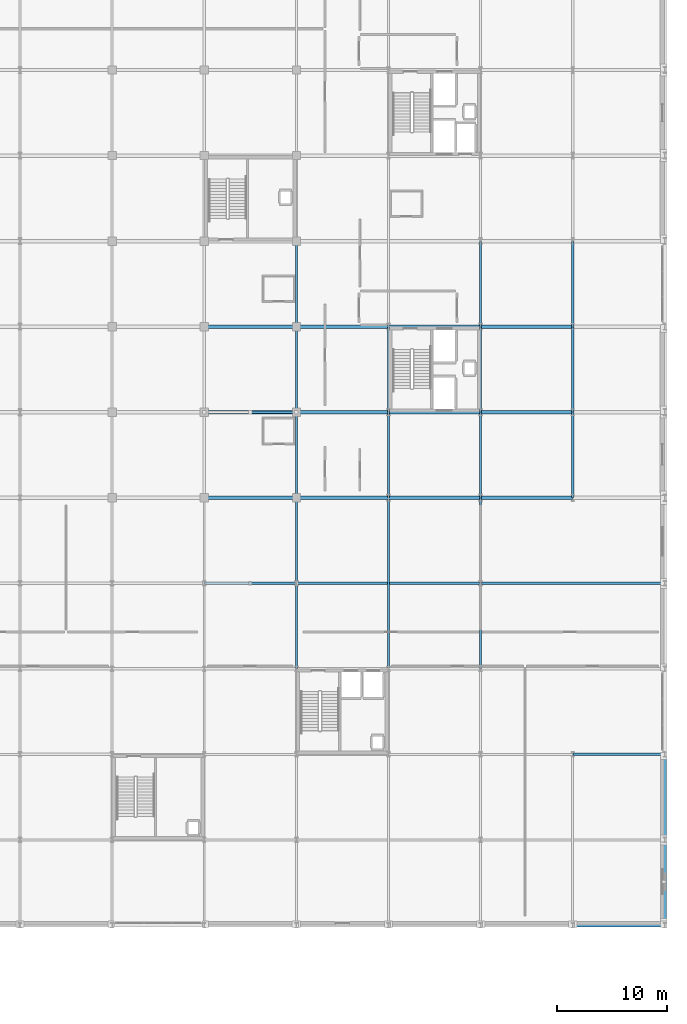
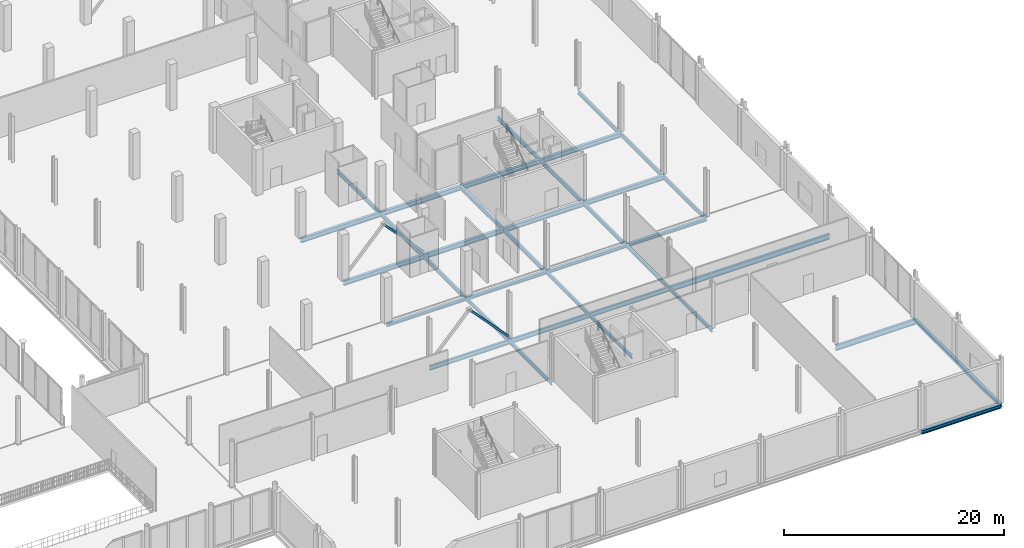
# One storey, part 58 of 105: 35 beams, 2 members.
"""IFC4 building model written with IfcOpenShell, lengths in metres."""

from ifc_helpers import new_model, si_unit, direction, frame, origin, origin_2d, place, context, subcontext, project, spatial, hollow_rectangle, i_section, extrude, material, material_profile, profile_set, type_object, element, save


model = new_model("IFC4")

# Units and contexts
model_context = context("Model", 3, precision=1e-05, world=origin(), true_north=direction((0.0, 1.0)))
body_context = subcontext(model_context, "Body", "Model", "MODEL_VIEW")
ifc_project = project(units=[si_unit("LENGTHUNIT", "METRE"), si_unit("AREAUNIT", "SQUARE_METRE"), si_unit("VOLUMEUNIT", "CUBIC_METRE"), si_unit("PLANEANGLEUNIT", "RADIAN"), si_unit("MASSUNIT", "GRAM", prefix="KILO")], contexts=[model_context])

# Site, building, storey
site_placement = place(None, origin())
site = spatial("IfcSite", under=ifc_project, at=site_placement, CompositionType="ELEMENT")
building_placement = place(site_placement, origin())
building = spatial("IfcBuilding", under=site, at=building_placement, Name="Nabrawat Pavilion Hospital", CompositionType="ELEMENT")
storey_placement = place(building_placement, frame((0.0, 0.0, 5.10009765625)))
storey = spatial("IfcBuildingStorey", under=building, at=storey_placement, Name="L01", CompositionType="ELEMENT", Elevation=5.10009765625)

# Members
ifc_material = material(Name="Steel S355", Category="steel")
ifc_material_profile_1 = material_profile(ifc_material, hollow_rectangle(XDim=0.199951171875, YDim=0.199951171875, WallThickness=0.012451171875, at=origin_2d()), Name="SHS 200x200x12.5")
ifc_profile_set_1 = profile_set([ifc_material_profile_1], Name="Steel S355")
member_type = type_object("IfcMemberType", Name="Mid Seismic Chevron Brace SHS 200x200x12.5", PredefinedType="BRACE", material=ifc_profile_set_1)
for number, where, z_axis, x_axis, name in (
    (1, (159.60009765625, 31.199951171875, 0.0498046875), (-0.682335207557, 0.0, 0.731039441158), (0.0, -1.0, 0.0), "L01 Seismic Concentric Chevron Brace 040"),
    (2, (159.60009765625, 46.800048828125, 0.0498046875), (-0.682335207557, 0.0, 0.731039441158), (0.0, -1.0, 0.0), "L01 Seismic Concentric Chevron Brace 052"),
):
    element("IfcMember", number, at=place(storey_placement, frame(where, z_axis=z_axis, x_axis=x_axis)), inside=storey, type_object=member_type, Name=name, PredefinedType="BRACE", context=body_context, shape_type="SweptSolid", body=[
        extrude(hollow_rectangle(XDim=0.199951171875, YDim=0.199951171875, WallThickness=0.012451171875, at=origin_2d()), origin(), (0.0, 0.0, 1.0), 6.155517578125),
    ])

# Beams
ifc_material_profile_2 = material_profile(ifc_material, i_section(OverallWidth=0.300048828125, OverallDepth=0.389892578125, WebThickness=0.010986328125, FlangeThickness=0.01904296875, FilletRadius=0.027099609375, at=origin_2d()), Name="HEA 400")
ifc_profile_set_2 = profile_set([ifc_material_profile_2], Name="Steel S355")
beam_type_1 = type_object("IfcBeamType", Name="Perimeter Moment Spandrel Beam HEA 400", PredefinedType="SPANDREL", material=ifc_profile_set_2)
beam_1_placement = place(storey_placement, frame((184.820068359375, 0.0, -0.425048828125), z_axis=(1.0, 0.0, 0.0), x_axis=(0.0, 1.0, 0.0)))
element("IfcBeam", 3, at=beam_1_placement, inside=storey, type_object=beam_type_1, Name="L01 Primary X Girder 463", PredefinedType="SPANDREL", context=body_context, shape_type="SweptSolid", body=[
    extrude(i_section(OverallWidth=0.300048828125, OverallDepth=0.389892578125, WebThickness=0.010986328125, FlangeThickness=0.01904296875, FilletRadius=0.027099609375, at=origin_2d()), origin(), (0.0, 0.0, 1.0), 8.35986328125),
])
for number, where, z_axis, x_axis, name in (
    (4, (193.199951171875, 0.02001953125, -0.425048828125), (0.0, 1.0, 0.0), (-1.0, 0.0, 0.0), "L01 Primary Y Beam 911"),
    (5, (193.199951171875, 7.820068359375, -0.425048828125), (0.0, 1.0, 0.0), (-1.0, 0.0, 0.0), "L01 Primary Y Beam 912"),
):
    element("IfcBeam", number, at=place(storey_placement, frame(where, z_axis=z_axis, x_axis=x_axis)), inside=storey, type_object=beam_type_1, Name=name, PredefinedType="SPANDREL", context=body_context, shape_type="SweptSolid", body=[
        extrude(i_section(OverallWidth=0.300048828125, OverallDepth=0.389892578125, WebThickness=0.010986328125, FlangeThickness=0.01904296875, FilletRadius=0.027099609375, at=origin_2d()), origin(), (0.0, 0.0, 1.0), 7.760009765625),
    ])
ifc_material_profile_3 = material_profile(ifc_material, i_section(OverallWidth=0.300048828125, OverallDepth=0.5, WebThickness=0.014404296875, FlangeThickness=0.028076171875, FilletRadius=0.027099609375, at=origin_2d()), Name="HEB 500")
ifc_profile_set_3 = profile_set([ifc_material_profile_3], Name="Steel S355")
beam_type_2 = type_object("IfcBeamType", Name="Primary Floor Girder HEB 500", PredefinedType="USERDEFINED", material=ifc_profile_set_3)
beam_2_placement = place(storey_placement, frame((151.219970703125, 46.800048828125, -0.5), z_axis=(1.0, 0.0, 0.0), x_axis=(0.0, 1.0, 0.0)))
element("IfcBeam", 6, at=beam_2_placement, inside=storey, type_object=beam_type_2, Name="L01 Primary X Girder 543", ObjectType="GIRDER", PredefinedType="USERDEFINED", context=body_context, shape_type="SweptSolid", body=[
    extrude(i_section(OverallWidth=0.300048828125, OverallDepth=0.5, WebThickness=0.014404296875, FlangeThickness=0.028076171875, FilletRadius=0.027099609375, at=origin_2d()), origin(), (0.0, 0.0, 1.0), 8.360107421875),
])
for number, where, z_axis, x_axis, name in (
    (7, (159.6201171875, 46.800048828125, -0.5), (1.0, 0.0, 0.0), (0.0, 1.0, 0.0), "L01 Primary X Girder 544"),
    (8, (168.02001953125, 46.800048828125, -0.5), (1.0, 0.0, 0.0), (0.0, 1.0, 0.0), "L01 Primary X Girder 545"),
):
    element("IfcBeam", number, at=place(storey_placement, frame(where, z_axis=z_axis, x_axis=x_axis)), inside=storey, type_object=beam_type_2, Name=name, ObjectType="GIRDER", PredefinedType="USERDEFINED", context=body_context, shape_type="SweptSolid", body=[
        extrude(i_section(OverallWidth=0.300048828125, OverallDepth=0.5, WebThickness=0.014404296875, FlangeThickness=0.028076171875, FilletRadius=0.027099609375, at=origin_2d()), origin(), (0.0, 0.0, 1.0), 8.35986328125),
    ])
for number, where, z_axis, x_axis, name in (
    (9, (176.419921875, 46.800048828125, -0.5), (1.0, 0.0, 0.0), (0.0, 1.0, 0.0), "L01 Primary X Girder 546"),
    (10, (151.219970703125, 54.60009765625, -0.5), (1.0, 0.0, 0.0), (0.0, 1.0, 0.0), "L01 Primary X Girder 557"),
):
    element("IfcBeam", number, at=place(storey_placement, frame(where, z_axis=z_axis, x_axis=x_axis)), inside=storey, type_object=beam_type_2, Name=name, ObjectType="GIRDER", PredefinedType="USERDEFINED", context=body_context, shape_type="SweptSolid", body=[
        extrude(i_section(OverallWidth=0.300048828125, OverallDepth=0.5, WebThickness=0.014404296875, FlangeThickness=0.028076171875, FilletRadius=0.027099609375, at=origin_2d()), origin(), (0.0, 0.0, 1.0), 8.360107421875),
    ])
for number, where, z_axis, x_axis, name in (
    (11, (159.6201171875, 54.60009765625, -0.5), (1.0, 0.0, 0.0), (0.0, 1.0, 0.0), "L01 Primary X Girder 558"),
    (12, (168.02001953125, 54.60009765625, -0.5), (1.0, 0.0, 0.0), (0.0, 1.0, 0.0), "L01 Primary X Girder 559"),
):
    element("IfcBeam", number, at=place(storey_placement, frame(where, z_axis=z_axis, x_axis=x_axis)), inside=storey, type_object=beam_type_2, Name=name, ObjectType="GIRDER", PredefinedType="USERDEFINED", context=body_context, shape_type="SweptSolid", body=[
        extrude(i_section(OverallWidth=0.300048828125, OverallDepth=0.5, WebThickness=0.014404296875, FlangeThickness=0.028076171875, FilletRadius=0.027099609375, at=origin_2d()), origin(), (0.0, 0.0, 1.0), 8.35986328125),
    ])
beam_3_placement = place(storey_placement, frame((176.419921875, 54.60009765625, -0.5), z_axis=(1.0, 0.0, 0.0), x_axis=(0.0, 1.0, 0.0)))
element("IfcBeam", 13, at=beam_3_placement, inside=storey, type_object=beam_type_2, Name="L01 Primary X Girder 560", ObjectType="GIRDER", PredefinedType="USERDEFINED", context=body_context, shape_type="SweptSolid", body=[
    extrude(i_section(OverallWidth=0.300048828125, OverallDepth=0.5, WebThickness=0.014404296875, FlangeThickness=0.028076171875, FilletRadius=0.027099609375, at=origin_2d()), origin(), (0.0, 0.0, 1.0), 8.360107421875),
])
ifc_material_profile_4 = material_profile(ifc_material, i_section(OverallWidth=0.18994140625, OverallDepth=0.449951171875, WebThickness=0.009521484375, FlangeThickness=0.0146484375, FilletRadius=0.02099609375, at=origin_2d()), Name="IPE 450")
ifc_profile_set_4 = profile_set([ifc_material_profile_4], Name="Steel S355")
beam_type_3 = type_object("IfcBeamType", Name="Primary Y Floor Beam IPE 450", PredefinedType="BEAM", material=ifc_profile_set_4)
for number, where, z_axis, x_axis, name in (
    (14, (159.60009765625, 39.02001953125, -0.47509765625), (0.0, 1.0, 0.0), (-1.0, 0.0, 0.0), "L01 Primary Y Beam 867"),
    (15, (159.60009765625, 46.820068359375, -0.47509765625), (0.0, 1.0, 0.0), (-1.0, 0.0, 0.0), "L01 Primary Y Beam 868"),
):
    element("IfcBeam", number, at=place(storey_placement, frame(where, z_axis=z_axis, x_axis=x_axis)), inside=storey, type_object=beam_type_3, Name=name, PredefinedType="BEAM", context=body_context, shape_type="SweptSolid", body=[
        extrude(i_section(OverallWidth=0.18994140625, OverallDepth=0.449951171875, WebThickness=0.009521484375, FlangeThickness=0.0146484375, FilletRadius=0.02099609375, at=origin_2d()), origin(), (0.0, 0.0, 1.0), 7.760009765625),
    ])
beam_4_placement = place(storey_placement, frame((159.60009765625, 54.6201171875, -0.47509765625), z_axis=(0.0, 1.0, 0.0), x_axis=(-1.0, 0.0, 0.0)))
element("IfcBeam", 16, at=beam_4_placement, inside=storey, type_object=beam_type_3, Name="L01 Primary Y Beam 869", PredefinedType="BEAM", context=body_context, shape_type="SweptSolid", body=[
    extrude(i_section(OverallWidth=0.18994140625, OverallDepth=0.449951171875, WebThickness=0.009521484375, FlangeThickness=0.0146484375, FilletRadius=0.02099609375, at=origin_2d()), origin(), (0.0, 0.0, 1.0), 7.759765625),
])
for number, where, z_axis, x_axis, name in (
    (17, (168.0, 39.02001953125, -0.47509765625), (0.0, 1.0, 0.0), (-1.0, 0.0, 0.0), "L01 Primary Y Beam 881"),
    (18, (168.0, 46.820068359375, -0.47509765625), (0.0, 1.0, 0.0), (-1.0, 0.0, 0.0), "L01 Primary Y Beam 882"),
    (19, (176.39990234375, 39.02001953125, -0.47509765625), (0.0, 1.0, 0.0), (-1.0, 0.0, 0.0), "L01 Primary Y Beam 892"),
    (20, (176.39990234375, 46.820068359375, -0.47509765625), (0.0, 1.0, 0.0), (-1.0, 0.0, 0.0), "L01 Primary Y Beam 893"),
):
    element("IfcBeam", number, at=place(storey_placement, frame(where, z_axis=z_axis, x_axis=x_axis)), inside=storey, type_object=beam_type_3, Name=name, PredefinedType="BEAM", context=body_context, shape_type="SweptSolid", body=[
        extrude(i_section(OverallWidth=0.18994140625, OverallDepth=0.449951171875, WebThickness=0.009521484375, FlangeThickness=0.0146484375, FilletRadius=0.02099609375, at=origin_2d()), origin(), (0.0, 0.0, 1.0), 7.760009765625),
    ])
beam_5_placement = place(storey_placement, frame((176.39990234375, 54.6201171875, -0.47509765625), z_axis=(0.0, 1.0, 0.0), x_axis=(-1.0, 0.0, 0.0)))
element("IfcBeam", 21, at=beam_5_placement, inside=storey, type_object=beam_type_3, Name="L01 Primary Y Beam 894", PredefinedType="BEAM", context=body_context, shape_type="SweptSolid", body=[
    extrude(i_section(OverallWidth=0.18994140625, OverallDepth=0.449951171875, WebThickness=0.009521484375, FlangeThickness=0.0146484375, FilletRadius=0.02099609375, at=origin_2d()), origin(), (0.0, 0.0, 1.0), 7.759765625),
])
for number, where, z_axis, x_axis, name in (
    (22, (184.800048828125, 39.02001953125, -0.47509765625), (0.0, 1.0, 0.0), (-1.0, 0.0, 0.0), "L01 Primary Y Beam 904"),
    (23, (184.800048828125, 46.820068359375, -0.47509765625), (0.0, 1.0, 0.0), (-1.0, 0.0, 0.0), "L01 Primary Y Beam 905"),
):
    element("IfcBeam", number, at=place(storey_placement, frame(where, z_axis=z_axis, x_axis=x_axis)), inside=storey, type_object=beam_type_3, Name=name, PredefinedType="BEAM", context=body_context, shape_type="SweptSolid", body=[
        extrude(i_section(OverallWidth=0.18994140625, OverallDepth=0.449951171875, WebThickness=0.009521484375, FlangeThickness=0.0146484375, FilletRadius=0.02099609375, at=origin_2d()), origin(), (0.0, 0.0, 1.0), 7.760009765625),
    ])
beam_6_placement = place(storey_placement, frame((184.800048828125, 54.6201171875, -0.47509765625), z_axis=(0.0, 1.0, 0.0), x_axis=(-1.0, 0.0, 0.0)))
element("IfcBeam", 24, at=beam_6_placement, inside=storey, type_object=beam_type_3, Name="L01 Primary Y Beam 906", PredefinedType="BEAM", context=body_context, shape_type="SweptSolid", body=[
    extrude(i_section(OverallWidth=0.18994140625, OverallDepth=0.449951171875, WebThickness=0.009521484375, FlangeThickness=0.0146484375, FilletRadius=0.02099609375, at=origin_2d()), origin(), (0.0, 0.0, 1.0), 7.759765625),
])
ifc_material_profile_5 = material_profile(ifc_material, i_section(OverallWidth=0.199951171875, OverallDepth=0.5, WebThickness=0.01025390625, FlangeThickness=0.01611328125, FilletRadius=0.02099609375, at=origin_2d()), Name="IPE 500")
ifc_profile_set_5 = profile_set([ifc_material_profile_5], Name="Steel S355")
beam_type_4 = type_object("IfcBeamType", Name="Standard X Floor Girder IPE 500", PredefinedType="USERDEFINED", material=ifc_profile_set_5)
beam_7_placement = place(storey_placement, frame((151.219970703125, 31.199951171875, -0.47998046875), z_axis=(1.0, 0.0, 0.0), x_axis=(0.0, 1.0, 0.0)))
element("IfcBeam", 25, at=beam_7_placement, inside=storey, type_object=beam_type_4, Name="L01 Primary X Girder 508", ObjectType="GIRDER", PredefinedType="USERDEFINED", context=body_context, shape_type="SweptSolid", body=[
    extrude(i_section(OverallWidth=0.199951171875, OverallDepth=0.5, WebThickness=0.01025390625, FlangeThickness=0.01611328125, FilletRadius=0.02099609375, at=origin_2d()), origin(), (0.0, 0.0, 1.0), 8.360107421875),
])
beam_8_placement = place(storey_placement, frame((159.6201171875, 31.199951171875, -0.47998046875), z_axis=(1.0, 0.0, 0.0), x_axis=(0.0, 1.0, 0.0)))
element("IfcBeam", 26, at=beam_8_placement, inside=storey, type_object=beam_type_4, Name="L01 Primary X Girder 509", ObjectType="GIRDER", PredefinedType="USERDEFINED", context=body_context, shape_type="SweptSolid", body=[
    extrude(i_section(OverallWidth=0.199951171875, OverallDepth=0.5, WebThickness=0.01025390625, FlangeThickness=0.01611328125, FilletRadius=0.02099609375, at=origin_2d()), origin(), (0.0, 0.0, 1.0), 16.759765625),
])
ifc_material_profile_6 = material_profile(ifc_material, i_section(OverallWidth=0.179931640625, OverallDepth=0.39990234375, WebThickness=0.008544921875, FlangeThickness=0.013427734375, FilletRadius=0.02099609375, at=origin_2d()), Name="IPE 400")
ifc_profile_set_6 = profile_set([ifc_material_profile_6], Name="Steel S355")
beam_type_5 = type_object("IfcBeamType", Name="Standard Y Floor Beam IPE 400", PredefinedType="BEAM", material=ifc_profile_set_6)
for number, where, z_axis, x_axis, name in (
    (27, (159.60009765625, 23.419921875, -0.43017578125), (0.0, 1.0, 0.0), (-1.0, 0.0, 0.0), "L01 Primary Y Beam 865"),
    (28, (159.60009765625, 31.219970703125, -0.43017578125), (0.0, 1.0, 0.0), (-1.0, 0.0, 0.0), "L01 Primary Y Beam 866"),
):
    element("IfcBeam", number, at=place(storey_placement, frame(where, z_axis=z_axis, x_axis=x_axis)), inside=storey, type_object=beam_type_5, Name=name, PredefinedType="BEAM", context=body_context, shape_type="SweptSolid", body=[
        extrude(i_section(OverallWidth=0.179931640625, OverallDepth=0.39990234375, WebThickness=0.008544921875, FlangeThickness=0.013427734375, FilletRadius=0.02099609375, at=origin_2d()), origin(), (0.0, 0.0, 1.0), 7.760009765625),
    ])
beam_9_placement = place(storey_placement, frame((168.0, 23.419921875, -0.43017578125), z_axis=(0.0, 1.0, 0.0), x_axis=(-1.0, 0.0, 0.0)))
element("IfcBeam", 29, at=beam_9_placement, inside=storey, type_object=beam_type_5, Name="L01 Primary Y Beam 880", PredefinedType="BEAM", context=body_context, shape_type="SweptSolid", body=[
    extrude(i_section(OverallWidth=0.179931640625, OverallDepth=0.39990234375, WebThickness=0.008544921875, FlangeThickness=0.013427734375, FilletRadius=0.02099609375, at=origin_2d()), origin(), (0.0, 0.0, 1.0), 15.56005859375),
])
for number, where, z_axis, x_axis, name in (
    (30, (176.39990234375, 23.419921875, -0.43017578125), (0.0, 1.0, 0.0), (-1.0, 0.0, 0.0), "L01 Primary Y Beam 890"),
    (31, (176.39990234375, 31.219970703125, -0.43017578125), (0.0, 1.0, 0.0), (-1.0, 0.0, 0.0), "L01 Primary Y Beam 891"),
):
    element("IfcBeam", number, at=place(storey_placement, frame(where, z_axis=z_axis, x_axis=x_axis)), inside=storey, type_object=beam_type_5, Name=name, PredefinedType="BEAM", context=body_context, shape_type="SweptSolid", body=[
        extrude(i_section(OverallWidth=0.179931640625, OverallDepth=0.39990234375, WebThickness=0.008544921875, FlangeThickness=0.013427734375, FilletRadius=0.02099609375, at=origin_2d()), origin(), (0.0, 0.0, 1.0), 7.760009765625),
    ])
ifc_material_profile_7 = material_profile(ifc_material, i_section(OverallWidth=0.300048828125, OverallDepth=0.340087890625, WebThickness=0.011962890625, FlangeThickness=0.021484375, FilletRadius=0.027099609375, at=origin_2d()), Name="HEB 340")
ifc_profile_set_7 = profile_set([ifc_material_profile_7], Name="Steel S355")
beam_type_6 = type_object("IfcBeamType", Name="Ward Perimeter Spandrel Beam HEB 340", PredefinedType="SPANDREL", material=ifc_profile_set_7)
beam_10_placement = place(storey_placement, frame((151.219970703125, 39.0, -0.420166015625), z_axis=(1.0, 0.0, 0.0), x_axis=(0.0, 1.0, 0.0)))
element("IfcBeam", 32, at=beam_10_placement, inside=storey, type_object=beam_type_6, Name="L01 Primary X Girder 531", PredefinedType="SPANDREL", context=body_context, shape_type="SweptSolid", body=[
    extrude(i_section(OverallWidth=0.300048828125, OverallDepth=0.340087890625, WebThickness=0.011962890625, FlangeThickness=0.021484375, FilletRadius=0.027099609375, at=origin_2d()), origin(), (0.0, 0.0, 1.0), 8.360107421875),
])
for number, where, z_axis, x_axis, name in (
    (33, (159.6201171875, 39.0, -0.420166015625), (1.0, 0.0, 0.0), (0.0, 1.0, 0.0), "L01 Primary X Girder 532"),
    (34, (168.02001953125, 39.0, -0.420166015625), (1.0, 0.0, 0.0), (0.0, 1.0, 0.0), "L01 Primary X Girder 533"),
):
    element("IfcBeam", number, at=place(storey_placement, frame(where, z_axis=z_axis, x_axis=x_axis)), inside=storey, type_object=beam_type_6, Name=name, PredefinedType="SPANDREL", context=body_context, shape_type="SweptSolid", body=[
        extrude(i_section(OverallWidth=0.300048828125, OverallDepth=0.340087890625, WebThickness=0.011962890625, FlangeThickness=0.021484375, FilletRadius=0.027099609375, at=origin_2d()), origin(), (0.0, 0.0, 1.0), 8.35986328125),
    ])
beam_11_placement = place(storey_placement, frame((176.419921875, 39.0, -0.420166015625), z_axis=(1.0, 0.0, 0.0), x_axis=(0.0, 1.0, 0.0)))
element("IfcBeam", 35, at=beam_11_placement, inside=storey, type_object=beam_type_6, Name="L01 Primary X Girder 534", PredefinedType="SPANDREL", context=body_context, shape_type="SweptSolid", body=[
    extrude(i_section(OverallWidth=0.300048828125, OverallDepth=0.340087890625, WebThickness=0.011962890625, FlangeThickness=0.021484375, FilletRadius=0.027099609375, at=origin_2d()), origin(), (0.0, 0.0, 1.0), 8.360107421875),
])
ifc_material_profile_8 = material_profile(ifc_material, i_section(OverallWidth=0.219970703125, OverallDepth=0.60009765625, WebThickness=0.011962890625, FlangeThickness=0.01904296875, FilletRadius=0.02392578125, at=origin_2d()), Name="IPE 600")
ifc_profile_set_8 = profile_set([ifc_material_profile_8], Name="Steel S355")
beam_type_7 = type_object("IfcBeamType", Name="Wide-Bay Floor Girder IPE 600", PredefinedType="USERDEFINED", material=ifc_profile_set_8)
beam_12_placement = place(storey_placement, frame((184.820068359375, 15.60009765625, -0.530029296875), z_axis=(1.0, 0.0, 0.0), x_axis=(0.0, 1.0, 0.0)))
element("IfcBeam", 36, at=beam_12_placement, inside=storey, type_object=beam_type_7, Name="L01 Primary X Girder 492", ObjectType="GIRDER", PredefinedType="USERDEFINED", context=body_context, shape_type="SweptSolid", body=[
    extrude(i_section(OverallWidth=0.219970703125, OverallDepth=0.60009765625, WebThickness=0.011962890625, FlangeThickness=0.01904296875, FilletRadius=0.02392578125, at=origin_2d()), origin(), (0.0, 0.0, 1.0), 8.35986328125),
])
beam_13_placement = place(storey_placement, frame((176.419921875, 31.199951171875, -0.530029296875), z_axis=(1.0, 0.0, 0.0), x_axis=(0.0, 1.0, 0.0)))
element("IfcBeam", 37, at=beam_13_placement, inside=storey, type_object=beam_type_7, Name="L01 Primary X Girder 510", ObjectType="GIRDER", PredefinedType="USERDEFINED", context=body_context, shape_type="SweptSolid", body=[
    extrude(i_section(OverallWidth=0.219970703125, OverallDepth=0.60009765625, WebThickness=0.011962890625, FlangeThickness=0.01904296875, FilletRadius=0.02392578125, at=origin_2d()), origin(), (0.0, 0.0, 1.0), 16.760009765625),
])

save(model, "model.ifc")
